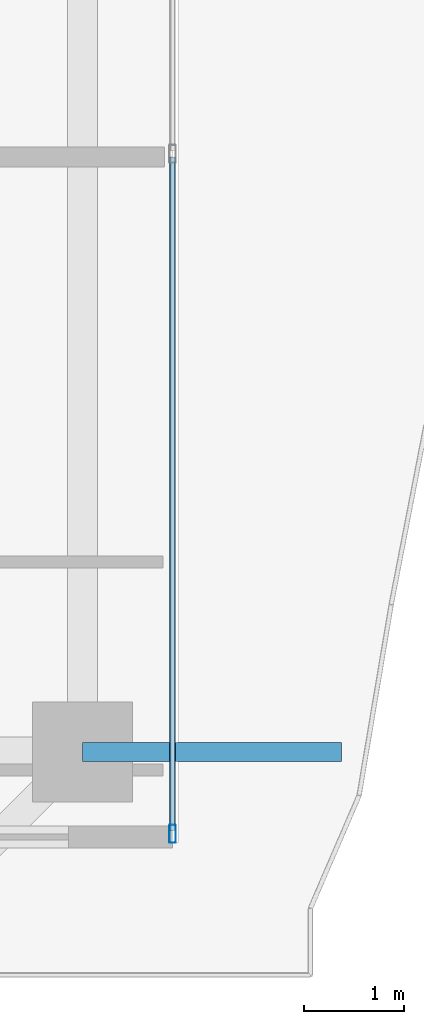
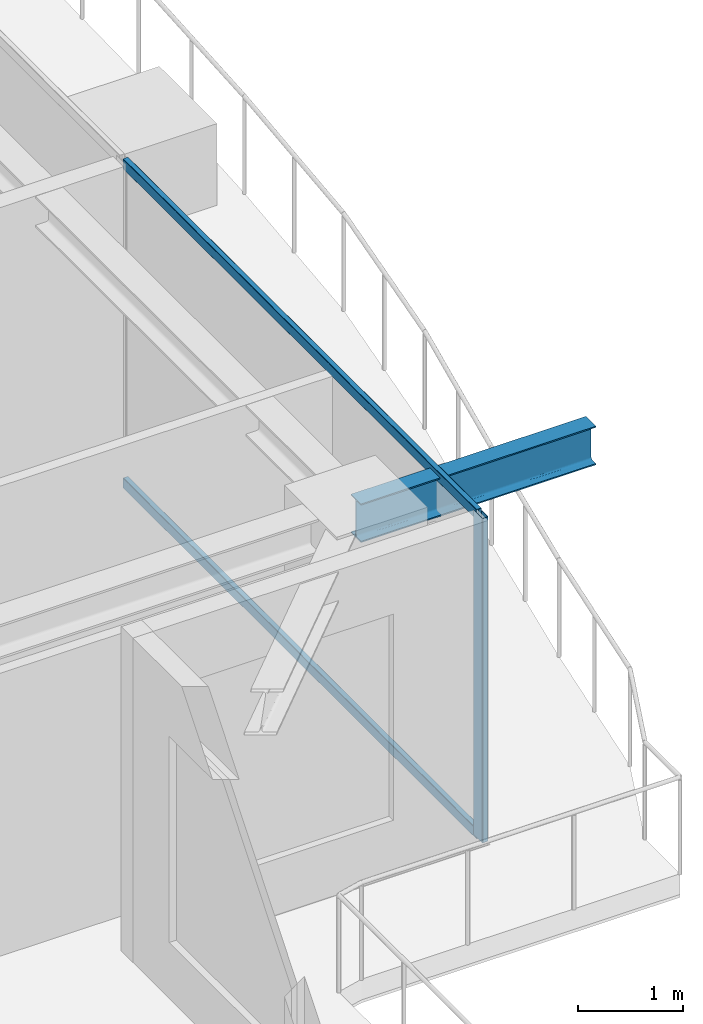
# One storey, part 14 of 42: 3 members, 1 beam, 1 element without a shape of its own.
"""IFC4 building model written with IfcOpenShell, lengths in metres."""

from ifc_helpers import new_model, si_unit, direction, frame, origin, origin_2d, place, context, subcontext, project, spatial, hollow_rectangle, i_section, extrude, source, transform, mapped, material, layer, layer_set, material_profile, profile_set, type_object, element, aggregate, save


model = new_model("IFC4")

# Units and contexts
model_context = context("Model", 3, precision=1e-05, world=origin(), true_north=direction((0.0, 1.0)))
body_context = subcontext(model_context, "Body", "Model", "MODEL_VIEW")
ifc_project = project(units=[si_unit("LENGTHUNIT", "METRE"), si_unit("AREAUNIT", "SQUARE_METRE"), si_unit("VOLUMEUNIT", "CUBIC_METRE"), si_unit("PLANEANGLEUNIT", "RADIAN"), si_unit("MASSUNIT", "GRAM", prefix="KILO")], contexts=[model_context])

# Site, building, storey
site_placement = place(None, origin())
site = spatial("IfcSite", under=ifc_project, at=site_placement, CompositionType="ELEMENT")
building_placement = place(site_placement, origin())
building = spatial("IfcBuilding", under=site, at=building_placement, Name="Serunith Strait Residences", CompositionType="ELEMENT")
storey_placement = place(building_placement, frame((0.0, 0.0, 309.64990234375)))
storey = spatial("IfcBuildingStorey", under=building, at=storey_placement, Name="L77", CompositionType="ELEMENT", Elevation=309.64990234375)

# Beam
ifc_material_1 = material(Name="Steel S355J2", Category="steel")
ifc_material_profile_1 = material_profile(ifc_material_1, i_section(OverallWidth=0.18994140625, OverallDepth=0.449951171875, WebThickness=0.009521484375, FlangeThickness=0.0146484375, FilletRadius=0.02099609375, at=origin_2d()), Name="IPE 450")
ifc_profile_set_1 = profile_set([ifc_material_profile_1], Name="Steel S355J2")
beam_type = type_object("IfcBeamType", Name="BM-IPE450", PredefinedType="JOIST", material=ifc_profile_set_1)
shared_shape_1 = source(origin(), body_context, "Body", "SweptSolid", [
    extrude(i_section(OverallWidth=0.18994140625, OverallDepth=0.449951171875, WebThickness=0.009521484375, FlangeThickness=0.0146484375, FilletRadius=0.02099609375, at=origin_2d()), origin(), (0.0, 0.0, 1.0), 2.587158203125),
])
beam_placement = place(storey_placement, frame((54.699951171875, 10.85009765625, 3.531982421875), z_axis=(1.0, 0.0, 0.0), x_axis=(0.0, 1.0, 0.0)))
element("IfcBeam", 1, at=beam_placement, inside=storey, type_object=beam_type, Name="L78 Cantilevered Balcony Rib TC-E1", PredefinedType="JOIST", context=body_context, shape_type="MappedRepresentation", body=[
    mapped(shared_shape_1, transform((0.0, 0.0, 0.0), scale=1.0)),
])

# Curtain wall, members
ifc_material_2 = material(Name="Brushed Stainless-Silver Aluminium", Category="aluminium")
ifc_layer = layer(ifc_material_2, 0.199951171875, Name="Brushed Stainless-Silver Aluminium")
ifc_layer_set = layer_set([ifc_layer], Name="Brushed Stainless-Silver Aluminium")
curtain_wall_type = type_object("IfcCurtainWallType", Name="CW-SYS5", PredefinedType="NOTDEFINED", material=ifc_layer_set)
curtain_wall_placement = place(storey_placement, origin())
curtain_wall = element("IfcCurtainWall", 2, at=curtain_wall_placement, inside=storey, type_object=curtain_wall_type, Name="L77 E Unitised Fritted Curtain Wall", PredefinedType="NOTDEFINED")
ifc_material_profile_2 = material_profile(ifc_material_2, hollow_rectangle(XDim=0.06494140625, YDim=0.179931640625, WallThickness=0.00341796875, InnerFilletRadius=0.00537109375, OuterFilletRadius=0.0087890625, at=origin_2d()), Name="ALU 180x65x3.5")
ifc_profile_set_2 = profile_set([ifc_material_profile_2], Name="Brushed Stainless-Silver Aluminium")
member_type_1 = type_object("IfcMemberType", Name="CW-SYS5-MULL", PredefinedType="MULLION", material=ifc_profile_set_2)
shared_shape_2 = source(origin(), body_context, "Body", "SweptSolid", [
    extrude(hollow_rectangle(XDim=0.06494140625, YDim=0.179931640625, WallThickness=0.00341796875, InnerFilletRadius=0.00537109375, OuterFilletRadius=0.0087890625, at=origin_2d()), origin(), (0.0, 0.0, 1.0), 3.775146484375),
])
member_1_placement = place(storey_placement, frame((55.60009765625, 10.032470703125, 0.0), z_axis=(0.0, 0.0, 1.0), x_axis=(-1.0, 0.0, 0.0)))
member_1 = element("IfcMember", 3, at=member_1_placement, type_object=member_type_1, Name="CW-5 mullion 1", PredefinedType="MULLION", context=body_context, shape_type="MappedRepresentation", body=[
    mapped(shared_shape_2, transform((0.0, 0.0, 0.0), scale=1.0)),
])
ifc_material_profile_3 = material_profile(ifc_material_2, hollow_rectangle(XDim=0.06005859375, YDim=0.1201171875, WallThickness=0.00341796875, InnerFilletRadius=0.00537109375, OuterFilletRadius=0.0087890625, at=origin_2d()), Name="ALU 120x60x3.5")
ifc_profile_set_3 = profile_set([ifc_material_profile_3], Name="Brushed Stainless-Silver Aluminium")
member_type_2 = type_object("IfcMemberType", Name="CW-SYS5-TRAN", PredefinedType="USERDEFINED", material=ifc_profile_set_3)
shared_shape_3 = source(origin(), body_context, "Body", "SweptSolid", [
    extrude(hollow_rectangle(XDim=0.06005859375, YDim=0.1201171875, WallThickness=0.00341796875, InnerFilletRadius=0.00537109375, OuterFilletRadius=0.0087890625, at=origin_2d()), origin(), (0.0, 0.0, 1.0), 6.73583984375),
])
member_2_placement = place(storey_placement, frame((55.60009765625, 10.06494140625, 0.030029296875), z_axis=(0.0, 1.0, 0.0), x_axis=(-1.0, 0.0, 0.0)))
member_2 = element("IfcMember", 4, at=member_2_placement, type_object=member_type_2, Name="CW-5 transom 1.1", ObjectType="TRANSOM", PredefinedType="USERDEFINED", context=body_context, shape_type="MappedRepresentation", body=[
    mapped(shared_shape_3, transform((0.0, 0.0, 0.0), scale=1.0)),
])
member_3_placement = place(storey_placement, frame((55.60009765625, 10.06494140625, 3.7451171875), z_axis=(0.0, 1.0, 0.0), x_axis=(-1.0, 0.0, 0.0)))
member_3 = element("IfcMember", 5, at=member_3_placement, type_object=member_type_2, Name="CW-5 transom 1.2", ObjectType="TRANSOM", PredefinedType="USERDEFINED", context=body_context, shape_type="MappedRepresentation", body=[
    mapped(shared_shape_3, transform((0.0, 0.0, 0.0), scale=1.0)),
])
aggregate(curtain_wall, [member_1, member_2, member_3])

save(model, "model.ifc")
